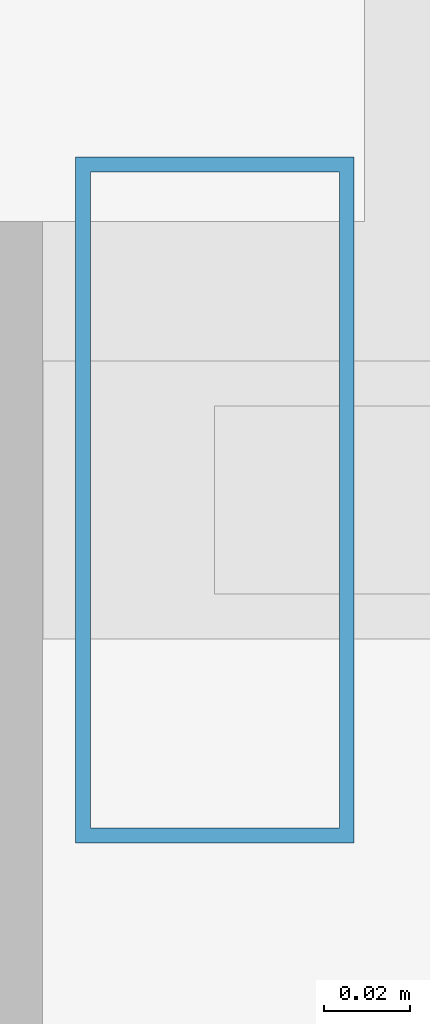
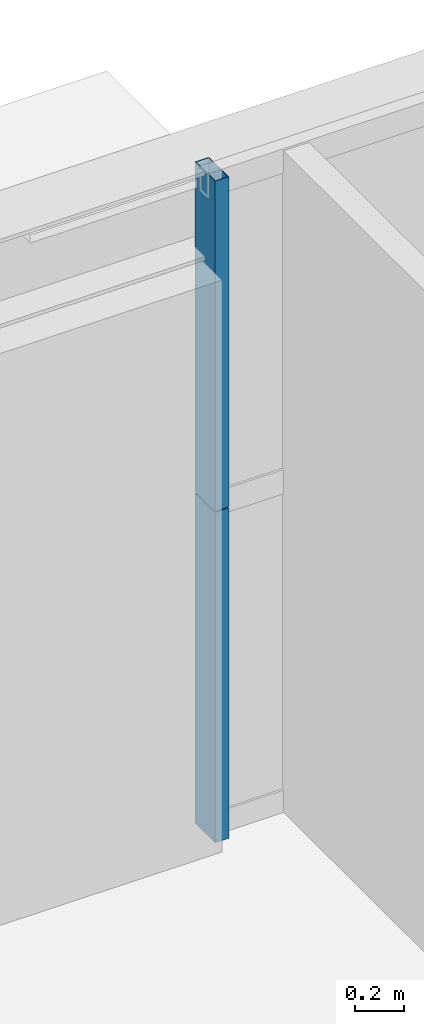
# One storey, part 25 of 38: 2 members, 1 element without a shape of its own.
"""IFC4 building model written with IfcOpenShell, lengths in metres."""

import ifcopenshell
import ifcopenshell.guid

model = None  # the IFC model being written
_history = None  # IfcOwnerHistory: only IFC2X3 demands one
_inside = {}  # id of a spatial element -> (the spatial element, [elements in it])
_under = {}  # id of a project, library or spatial element -> (it, [spatial elements below it])
_declared = {}  # id of a project -> (the project, [libraries it declares])
_typed = {}  # id of a type object -> (the type object, [elements of that type])
_made_of = {}  # id of a material, layer set ... -> (it, [elements and type objects made of it])


def new_model(schema):
    """Start an empty IFC model of exactly this schema.

    Asked for "IFC4X3", IfcOpenShell would pick the latest addendum, in which some entities
    have other attributes; the version numbers below select the first issue.
    IFC2X3 requires an IfcOwnerHistory on every rooted entity: one is made here for all.
    """
    global model, _history
    if schema == "IFC4X3":
        model = ifcopenshell.file(schema_version=(4, 3, 0, 0))
    else:
        model = ifcopenshell.file(schema=schema)
    _inside.clear()
    _under.clear()
    _declared.clear()
    _typed.clear()
    _made_of.clear()
    _history = None
    if model.schema == "IFC2X3":
        org = make("IfcOrganization", Name="unknown")
        user = make(
            "IfcPersonAndOrganization",
            ThePerson=make("IfcPerson", FamilyName="unknown"),
            TheOrganization=org,
        )
        app = make(
            "IfcApplication",
            ApplicationDeveloper=org,
            Version="unknown",
            ApplicationFullName="unknown",
            ApplicationIdentifier="unknown",
        )
        _history = make(
            "IfcOwnerHistory",
            OwningUser=user,
            OwningApplication=app,
            ChangeAction="ADDED",
            CreationDate=0,
        )
    return model


def make(cls, **values):
    """One entity of the class cls with the attributes given. An attribute that is None is left unset."""
    return model.create_entity(
        cls, **{name: value for name, value in values.items() if value is not None}
    )


def rooted(cls, **values):
    """An entity with a GlobalId (a new one), such as an element, a storey or a relation."""
    return make(cls, GlobalId=ifcopenshell.guid.new(), OwnerHistory=_history, **values)


def si_unit(unit_type, name, prefix=None):
    """IfcSIUnit, for example si_unit("LENGTHUNIT", "METRE", prefix="MILLI")."""
    return make("IfcSIUnit", UnitType=unit_type, Prefix=prefix, Name=name)


def assignment(units):
    """IfcUnitAssignment: the units of a project."""
    return None if units is None else make("IfcUnitAssignment", Units=units)


def point(xyz):
    """IfcCartesianPoint."""
    return None if xyz is None else make("IfcCartesianPoint", Coordinates=xyz)


def direction(xyz):
    """IfcDirection."""
    return None if xyz is None else make("IfcDirection", DirectionRatios=xyz)


def frame(location, z_axis=None, x_axis=None):
    """IfcAxis2Placement3D, a coordinate frame: its origin and axes. An axis left out is left unset."""
    return make(
        "IfcAxis2Placement3D",
        Location=point(location),
        Axis=direction(z_axis),
        RefDirection=direction(x_axis),
    )


def frame_2d(location, x_axis=None):
    """IfcAxis2Placement2D, a coordinate frame in the plane: its origin and x axis."""
    return make(
        "IfcAxis2Placement2D", Location=point(location), RefDirection=direction(x_axis)
    )


def origin():
    """The frame at (0, 0, 0) with its axes left unset."""
    return frame((0.0, 0.0, 0.0))


def origin_2d():
    """The frame at (0, 0) in the plane with its x axis left unset."""
    return frame_2d((0.0, 0.0))


def place(relative_to, where):
    """IfcLocalPlacement: puts the frame where relative to a parent placement (None: the world)."""
    return make(
        "IfcLocalPlacement", PlacementRelTo=relative_to, RelativePlacement=where
    )


def context(
    kind, dimensions, precision=None, world=None, true_north=None, identifier=None
):
    """IfcGeometricRepresentationContext, for example the 3D "Model" context."""
    return make(
        "IfcGeometricRepresentationContext",
        ContextIdentifier=identifier,
        ContextType=kind,
        CoordinateSpaceDimension=dimensions,
        Precision=precision,
        WorldCoordinateSystem=world,
        TrueNorth=true_north,
    )


def subcontext(parent, identifier, kind, view, scale=None):
    """IfcGeometricRepresentationSubContext, for example "Body" below "Model"."""
    return make(
        "IfcGeometricRepresentationSubContext",
        ContextIdentifier=identifier,
        ContextType=kind,
        ParentContext=parent,
        TargetScale=scale,
        TargetView=view,
    )


def project(units=None, contexts=None):
    """IfcProject with its units and contexts."""
    return rooted(
        "IfcProject",
        Name="project",
        RepresentationContexts=contexts,
        UnitsInContext=assignment(units),
    )


def spatial(cls, under=None, at=None, **own):
    """A site, building, storey or space (cls), placed at a placement, below another one or the project."""
    s = rooted(cls, ObjectPlacement=at, **own)
    if under is not None:
        _under.setdefault(under.id(), (under, []))[1].append(s)
    return s


def profile(cls, at=None, kind="AREA", **sizes):
    """A parametric profile (cls). Its sizes go by their IFC names, for example OverallWidth=200.0."""
    return make(cls, ProfileType=kind, Position=at, **sizes)


def hollow_rectangle(**sizes):
    """IfcRectangleHollowProfileDef."""
    return profile("IfcRectangleHollowProfileDef", **sizes)


def extrude(swept, where, along, depth):
    """IfcExtrudedAreaSolid: the profile swept, set in the frame where, extruded along a direction by depth."""
    return make(
        "IfcExtrudedAreaSolid",
        SweptArea=swept,
        Position=where,
        ExtrudedDirection=direction(along),
        Depth=depth,
    )


def shape(context_of_items, identifier, shape_type, items):
    """IfcShapeRepresentation: the items that make up one representation, for example the "Body"."""
    return make(
        "IfcShapeRepresentation",
        ContextOfItems=context_of_items,
        RepresentationIdentifier=identifier,
        RepresentationType=shape_type,
        Items=items,
    )


def source(mapping_origin, context_of_items, identifier, shape_type, items):
    """IfcRepresentationMap: a shape defined once, which mapped items show again and again."""
    return make(
        "IfcRepresentationMap",
        MappingOrigin=mapping_origin,
        MappedRepresentation=shape(context_of_items, identifier, shape_type, items),
    )


def transform(
    local_origin,
    x_axis=None,
    y_axis=None,
    z_axis=None,
    scale=None,
    scale2=None,
    scale3=None,
    uniform=True,
):
    """IfcCartesianTransformationOperator3D, or its non-uniform kind. x_axis, y_axis, z_axis: its Axis1, 2, 3."""
    if uniform:
        return make(
            "IfcCartesianTransformationOperator3D",
            Axis1=direction(x_axis),
            Axis2=direction(y_axis),
            LocalOrigin=point(local_origin),
            Scale=scale,
            Axis3=direction(z_axis),
        )
    return make(
        "IfcCartesianTransformationOperator3DnonUniform",
        Axis1=direction(x_axis),
        Axis2=direction(y_axis),
        LocalOrigin=point(local_origin),
        Scale=scale,
        Axis3=direction(z_axis),
        Scale2=scale2,
        Scale3=scale3,
    )


def mapped(mapping_source, mapping_target):
    """IfcMappedItem: shows the shape of a source again, moved by a transform."""
    return make(
        "IfcMappedItem", MappingSource=mapping_source, MappingTarget=mapping_target
    )


def material(Name=None, Category=None):
    """IfcMaterial."""
    return make("IfcMaterial", Name=Name, Category=Category)


def layer(
    of_material, thickness, ventilated=None, Name=None, Category=None, Priority=None
):
    """IfcMaterialLayer: one layer of a wall or slab, of a material (None: an air gap)."""
    return make(
        "IfcMaterialLayer",
        Material=of_material,
        LayerThickness=thickness,
        IsVentilated=ventilated,
        Name=Name,
        Category=Category,
        Priority=Priority,
    )


def layer_set(layers, Name=None):
    """IfcMaterialLayerSet."""
    return make("IfcMaterialLayerSet", MaterialLayers=layers, LayerSetName=Name)


def material_profile(
    of_material, cross_section, Name=None, Category=None, Priority=None
):
    """IfcMaterialProfile: a cross section and its material."""
    return make(
        "IfcMaterialProfile",
        Name=Name,
        Material=of_material,
        Profile=cross_section,
        Priority=Priority,
        Category=Category,
    )


def profile_set(profiles, Name=None, composite=None):
    """IfcMaterialProfileSet."""
    return make(
        "IfcMaterialProfileSet",
        Name=Name,
        MaterialProfiles=profiles,
        CompositeProfile=composite,
    )


def made_of(thing, what):
    """Note that an element or type object is made of a material, layer set ...; save() writes the relation."""
    if what is not None:
        _made_of.setdefault(what.id(), (what, []))[1].append(thing)
    return thing


def type_object(cls, material=None, **own):
    """A type object (cls), such as IfcWallType, which elements share."""
    return made_of(rooted(cls, **own), material)


def element(
    cls,
    number,
    at=None,
    inside=None,
    cuts=None,
    type_object=None,
    material=None,
    context=None,
    identifier="Body",
    shape_type=None,
    held_by="IfcProductDefinitionShape",
    body=None,
    shapes=None,
    **own,
):
    """One element of the class cls, such as IfcWall. Its Tag is "e" and its number.

    at: its placement. inside: the storey or other place that contains it. cuts: it is an
    opening in that element (IfcRelVoidsElement). A single representation is given by context,
    identifier, shape_type and body (its items); several are given by shapes. held_by: the class
    of the entity that holds the representations. save() writes the other relations.
    """
    e = rooted(cls, Tag="e%d" % number, ObjectPlacement=at, **own)
    if body is not None:
        shapes = [shape(context, identifier, shape_type, body)]
    if shapes is not None:
        e.Representation = make(held_by, Representations=shapes)
    if inside is not None:
        _inside.setdefault(inside.id(), (inside, []))[1].append(e)
    if cuts is not None:
        rooted(
            "IfcRelVoidsElement", RelatingBuildingElement=cuts, RelatedOpeningElement=e
        )
    if type_object is not None:
        _typed.setdefault(type_object.id(), (type_object, []))[1].append(e)
    return made_of(e, material)


def aggregate(whole, parts):
    """IfcRelAggregates: a whole, such as a stair, and the parts it consists of."""
    return rooted("IfcRelAggregates", RelatingObject=whole, RelatedObjects=parts)


def save(model, path):
    """Write the relations noted so far, then the file.

    IfcRelAggregates (storeys below a building ...), IfcRelContainedInSpatialStructure (elements
    in a storey), IfcRelDefinesByType, IfcRelAssociatesMaterial and IfcRelDeclares: one each for
    every whole, place, type object, material and project.
    """
    for whole, parts in _under.values():
        aggregate(whole, parts)
    for where, things in _inside.values():
        rooted(
            "IfcRelContainedInSpatialStructure",
            RelatedElements=things,
            RelatingStructure=where,
        )
    for kind, things in _typed.values():
        rooted("IfcRelDefinesByType", RelatedObjects=things, RelatingType=kind)
    for what, things in _made_of.values():
        rooted("IfcRelAssociatesMaterial", RelatedObjects=things, RelatingMaterial=what)
    for by, libraries in _declared.values():
        rooted("IfcRelDeclares", RelatingContext=by, RelatedDefinitions=libraries)
    model.write(path)


model = new_model("IFC4")

# Units and contexts
model_context = context("Model", 3, precision=1e-05, world=origin(), true_north=direction((0.0, 1.0)))
body_context = subcontext(model_context, "Body", "Model", "MODEL_VIEW")
ifc_project = project(units=[si_unit("LENGTHUNIT", "METRE"), si_unit("AREAUNIT", "SQUARE_METRE"), si_unit("VOLUMEUNIT", "CUBIC_METRE"), si_unit("PLANEANGLEUNIT", "RADIAN"), si_unit("MASSUNIT", "GRAM", prefix="KILO"), si_unit("THERMODYNAMICTEMPERATUREUNIT", "KELVIN"), si_unit("POWERUNIT", "WATT")], contexts=[model_context])

# Site, building, storey
site_placement = place(None, origin())
site = spatial("IfcSite", under=ifc_project, at=site_placement, CompositionType="ELEMENT")
building_placement = place(site_placement, origin())
building = spatial("IfcBuilding", under=site, at=building_placement, Name="Yuzanri Waterfront Tower", CompositionType="ELEMENT")
storey_placement = place(building_placement, frame((0.0, 0.0, 195.0)))
storey = spatial("IfcBuildingStorey", under=building, at=storey_placement, Name="L51", CompositionType="ELEMENT", Elevation=195.0)

# Curtain wall, members
ifc_material_1 = material(Name="Anodized Architectural Bronze", Category="metal")
ifc_layer = layer(ifc_material_1, 0.159912109375)
ifc_layer_set = layer_set([ifc_layer], Name="Anodized Architectural Bronze")
curtain_wall_type = type_object("IfcCurtainWallType", Name="Anodized Bronze Mid-Rise Residential Acoustic Unitized Curtain Wall 7200", PredefinedType="NOTDEFINED", material=ifc_layer_set)
curtain_wall_placement = place(storey_placement, origin())
curtain_wall = element("IfcCurtainWall", 1, at=curtain_wall_placement, inside=storey, type_object=curtain_wall_type, Name="L51 Curtain Wall CW-L51-NL", PredefinedType="NOTDEFINED")
ifc_material_2 = material(Name="Anodized Architectural Bronze", Category="metal")
ifc_material_profile = material_profile(ifc_material_2, hollow_rectangle(XDim=0.06494140625, YDim=0.159912109375, WallThickness=0.00341796875, at=origin_2d()), Name="CWM 65x160")
ifc_profile_set = profile_set([ifc_material_profile], Name="Anodized Architectural Bronze")
member_type = type_object("IfcMemberType", Name="Anodized Bronze Upper-Zone Curtain-Wall Mullion 65x160", PredefinedType="MULLION", material=ifc_profile_set)
shared_shape = source(origin(), body_context, "Body", "SweptSolid", [
    extrude(hollow_rectangle(XDim=0.06494140625, YDim=0.159912109375, WallThickness=0.00341796875, at=origin_2d()), origin(), (0.0, 0.0, 1.0), 1.637939453125),
])
member_1_placement = place(storey_placement, frame((22.2900390625, 47.75, 0.0), z_axis=(0.0, 0.0, 1.0), x_axis=(1.0, 0.0, 0.0)))
member_1 = element("IfcMember", 2, at=member_1_placement, type_object=member_type, Name="CW-L51-NL Lower Mullion 00", PredefinedType="MULLION", context=body_context, shape_type="MappedRepresentation", body=[
    mapped(shared_shape, transform((0.0, 0.0, 0.0), scale=1.0)),
])
member_2_placement = place(storey_placement, frame((22.2900390625, 47.75, 1.64208984375), z_axis=(0.0, 0.0, 1.0), x_axis=(1.0, 0.0, 0.0)))
member_2 = element("IfcMember", 3, at=member_2_placement, type_object=member_type, Name="CW-L51-NL Upper Mullion 00", PredefinedType="MULLION", context=body_context, shape_type="MappedRepresentation", body=[
    mapped(shared_shape, transform((0.0, 0.0, 0.0), scale=1.0)),
])
aggregate(curtain_wall, [member_1, member_2])

save(model, "model.ifc")
